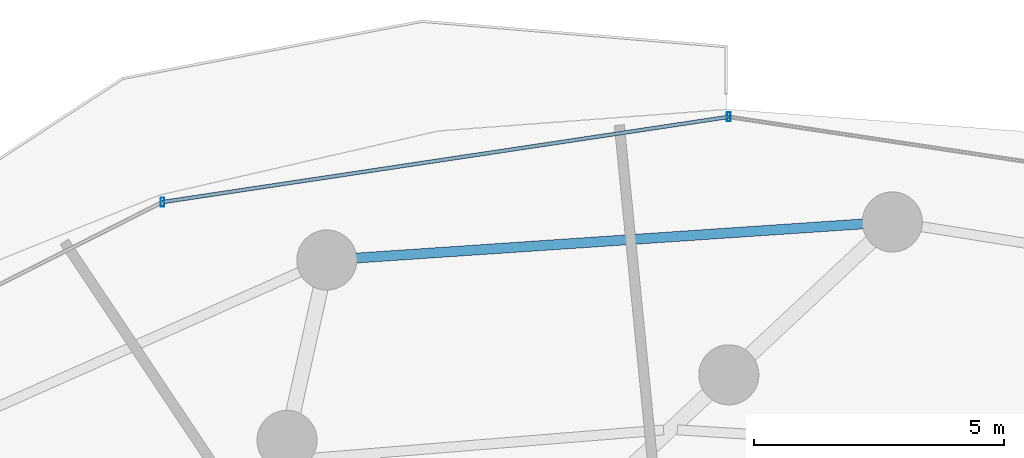
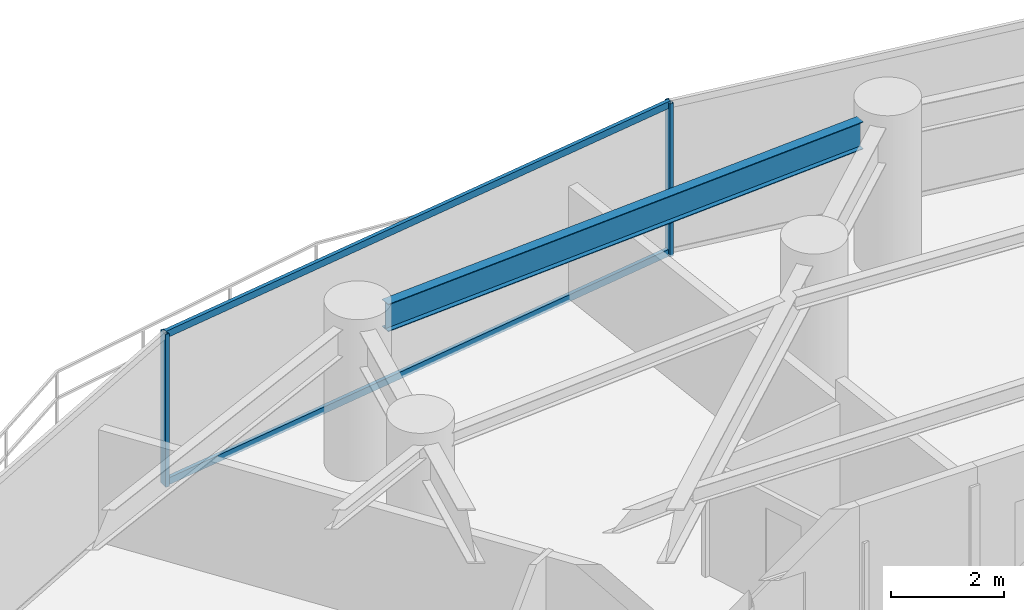
# One storey, part 21 of 34: 4 members, 1 beam, 1 element without a shape of its own.
"""IFC4 building model written with IfcOpenShell, lengths in metres."""

from ifc_helpers import new_model, si_unit, direction, frame, origin, origin_2d, place, context, subcontext, project, spatial, hollow_rectangle, i_section, extrude, material, material_profile, profile_set, type_object, element, aggregate, save


model = new_model("IFC4")

# Units and contexts
model_context = context("Model", 3, precision=1e-05, world=origin(), true_north=direction((0.0, 1.0)))
body_context = subcontext(model_context, "Body", "Model", "MODEL_VIEW")
ifc_project = project(units=[si_unit("LENGTHUNIT", "METRE"), si_unit("AREAUNIT", "SQUARE_METRE"), si_unit("VOLUMEUNIT", "CUBIC_METRE"), si_unit("PLANEANGLEUNIT", "RADIAN"), si_unit("MASSUNIT", "GRAM", prefix="KILO")], contexts=[model_context])

# Site, building, storey
site_placement = place(None, origin())
site = spatial("IfcSite", under=ifc_project, at=site_placement, CompositionType="ELEMENT")
building_placement = place(site_placement, origin())
building = spatial("IfcBuilding", under=site, at=building_placement, Name="Vorneva Point Tower", CompositionType="ELEMENT")
storey_placement = place(building_placement, frame((0.0, 0.0, 62.5)))
storey = spatial("IfcBuildingStorey", under=building, at=storey_placement, Name="L16", CompositionType="ELEMENT", Elevation=62.5)

# Beam
ifc_material_1 = material(Name="Steel S355", Category="steel")
ifc_material_profile_1 = material_profile(ifc_material_1, i_section(OverallWidth=0.198974609375, OverallDepth=0.595947265625, WebThickness=0.010009765625, FlangeThickness=0.014892578125, at=origin_2d()), Name="60B1")
ifc_profile_set_1 = profile_set([ifc_material_profile_1], Name="Steel S355")
beam_type = type_object("IfcBeamType", Name="BM-SPN-60B1", PredefinedType="SPANDREL", material=ifc_profile_set_1)
beam_placement = place(storey_placement, frame((40.681396484375, 46.213134765625, 2.94189453125), z_axis=(-0.997737743222, -0.067226451264, 0.0), x_axis=(0.067226451264, -0.997737743222, 0.0)))
element("IfcBeam", 1, at=beam_placement, inside=storey, type_object=beam_type, Name="L16 Perimeter Spandrel Ring Beam 05", PredefinedType="SPANDREL", context=body_context, shape_type="SweptSolid", body=[
    extrude(i_section(OverallWidth=0.198974609375, OverallDepth=0.595947265625, WebThickness=0.010009765625, FlangeThickness=0.014892578125, at=origin_2d()), origin(), (0.0, 0.0, 1.0), 10.146728515625),
])

# Curtain wall, members
ifc_material_2 = material(Name="Pale anodised aluminium", Category="aluminium")
curtain_wall_type = type_object("IfcCurtainWallType", Name="CW-HTL-SYS", PredefinedType="NOTDEFINED", material=ifc_material_2)
curtain_wall_placement = place(storey_placement, origin())
curtain_wall = element("IfcCurtainWall", 2, at=curtain_wall_placement, inside=storey, type_object=curtain_wall_type, Name="L16 Unitised Curtain Wall CW-L16-R02", PredefinedType="NOTDEFINED")
ifc_material_profile_2 = material_profile(ifc_material_2, hollow_rectangle(XDim=0.074951171875, YDim=0.179931640625, WallThickness=0.00390625, at=origin_2d()), Name="AL-MUL 180x75x4")
ifc_profile_set_2 = profile_set([ifc_material_profile_2], Name="Pale anodised aluminium")
member_type_1 = type_object("IfcMemberType", Name="CW-MUL-180", PredefinedType="MULLION", material=ifc_profile_set_2)
member_1_placement = place(storey_placement, frame((38.0, 48.35009765625, -0.0400390625), z_axis=(0.0, 0.0, 1.0), x_axis=(1.0, 0.0, 0.0)))
member_1 = element("IfcMember", 3, at=member_1_placement, type_object=member_type_1, Name="CW-L16-R02 Mullion 03", PredefinedType="MULLION", context=body_context, shape_type="SweptSolid", body=[
    extrude(hollow_rectangle(XDim=0.074951171875, YDim=0.179931640625, WallThickness=0.00390625, at=origin_2d()), origin(), (0.0, 0.0, 1.0), 3.31005859375),
])
member_2_placement = place(storey_placement, frame((26.691650390625, 46.648681640625, -0.0400390625), z_axis=(0.0, 0.0, 1.0), x_axis=(1.0, 0.0, 0.0)))
member_2 = element("IfcMember", 4, at=member_2_placement, type_object=member_type_1, Name="CW-L16-R02 Mullion 04", PredefinedType="MULLION", context=body_context, shape_type="SweptSolid", body=[
    extrude(hollow_rectangle(XDim=0.074951171875, YDim=0.179931640625, WallThickness=0.00390625, at=origin_2d()), origin(), (0.0, 0.0, 1.0), 3.31005859375),
])
ifc_material_profile_3 = material_profile(ifc_material_2, hollow_rectangle(XDim=0.074951171875, YDim=0.14990234375, WallThickness=0.00390625, at=origin_2d()), Name="AL-TRN 150x75x4")
ifc_profile_set_3 = profile_set([ifc_material_profile_3], Name="Pale anodised aluminium")
member_type_2 = type_object("IfcMemberType", Name="CW-TRN-150", PredefinedType="USERDEFINED", material=ifc_profile_set_3)
member_3_placement = place(storey_placement, frame((38.0, 48.35009765625, 0.02001953125), z_axis=(-0.988870014575, -0.148782036131, 0.0), x_axis=(0.148782036131, -0.988870014575, 0.0)))
member_3 = element("IfcMember", 5, at=member_3_placement, type_object=member_type_2, Name="CW-L16-R02 Transom 03.1", ObjectType="TRANSOM", PredefinedType="USERDEFINED", context=body_context, shape_type="SweptSolid", body=[
    extrude(hollow_rectangle(XDim=0.074951171875, YDim=0.14990234375, WallThickness=0.00390625, at=origin_2d()), origin(), (0.0, 0.0, 1.0), 11.435546875),
])
member_4_placement = place(storey_placement, frame((38.0, 48.35009765625, 3.219970703125), z_axis=(-0.988870014575, -0.148782036131, 0.0), x_axis=(0.148782036131, -0.988870014575, 0.0)))
member_4 = element("IfcMember", 6, at=member_4_placement, type_object=member_type_2, Name="CW-L16-R02 Transom 03.2", ObjectType="TRANSOM", PredefinedType="USERDEFINED", context=body_context, shape_type="SweptSolid", body=[
    extrude(hollow_rectangle(XDim=0.074951171875, YDim=0.14990234375, WallThickness=0.00390625, at=origin_2d()), origin(), (0.0, 0.0, 1.0), 11.435546875),
])
aggregate(curtain_wall, [member_1, member_2, member_3, member_4])

save(model, "model.ifc")
